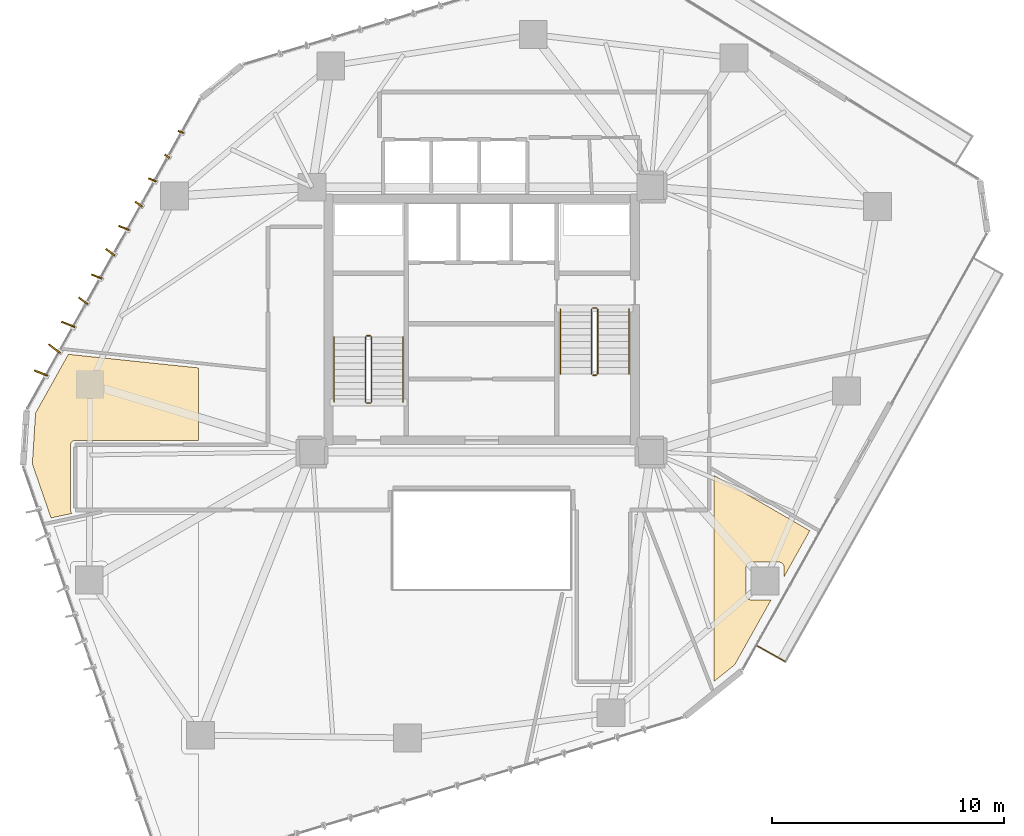
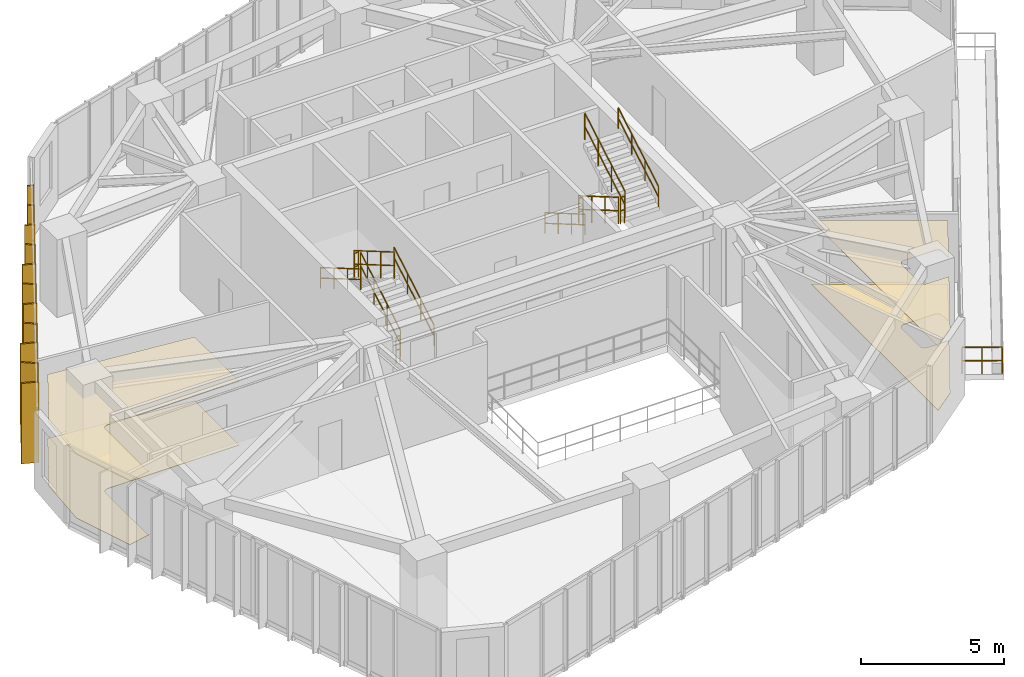
# One storey, part 20 of 21: 13 railings, 11 shading devices, 4 coverings.
"""IFC4 building model written with IfcOpenShell, lengths in metres."""

from ifc_helpers import new_model, si_unit, direction, frame, origin, origin_2d, place, context, subcontext, project, spatial, polyline, rectangle, circle, outline, extrude, source, transform, mapped, material, layer, layer_set, type_object, type_shapes, element, save


model = new_model("IFC4")

# Units and contexts
model_context = context("Model", 3, precision=1e-05, world=origin(), true_north=direction((0.0, 1.0)))
body_context = subcontext(model_context, "Body", "Model", "MODEL_VIEW")
ifc_project = project(units=[si_unit("LENGTHUNIT", "METRE"), si_unit("AREAUNIT", "SQUARE_METRE"), si_unit("VOLUMEUNIT", "CUBIC_METRE"), si_unit("PLANEANGLEUNIT", "RADIAN"), si_unit("MASSUNIT", "GRAM", prefix="KILO")], contexts=[model_context])

# Site, building, storey
site_placement = place(None, origin())
site = spatial("IfcSite", under=ifc_project, at=site_placement, CompositionType="ELEMENT")
building_placement = place(site_placement, origin())
building = spatial("IfcBuilding", under=site, at=building_placement, Name="Talar Marvaseh", CompositionType="ELEMENT")
storey_placement = place(building_placement, frame((0.0, 0.0, 139.800048828125)))
storey = spatial("IfcBuildingStorey", under=building, at=storey_placement, Name="L36", CompositionType="ELEMENT", Elevation=139.800048828125)

# Railings
ifc_material_1 = material(Name="Stainless Steel Grade 316", Category="steel")
railing_type_1 = type_object("IfcRailingType", Name="Brushed Stainless Wall Pitch Handrail 900", PredefinedType="HANDRAIL", material=ifc_material_1)
railing_1_placement = place(storey_placement, frame((22.610107421875, 27.64990234375, 0.16357421875)))
element("IfcRailing", 1, at=railing_1_placement, inside=storey, type_object=railing_type_1, Name="L36 ST-1 stair handrail 1", PredefinedType="HANDRAIL", context=body_context, shape_type="SweptSolid", body=[
    extrude(circle(Radius=0.02392578125, at=origin_2d()), frame((0.0, 0.0, 0.8759765625), z_axis=(0.0, 0.863360870873, 0.504586966384), x_axis=(-1.0, 0.0, 0.0)), (0.0, 0.0, 1.0), 3.2431640625),
    extrude(circle(Radius=0.02392578125, at=origin_2d()), frame((0.0, 0.0, 0.42578125), z_axis=(0.0, 0.863360870873, 0.504586966384), x_axis=(-1.0, 0.0, 0.0)), (0.0, 0.0, 1.0), 3.2431640625),
    extrude(circle(Radius=0.02099609375, at=origin_2d()), origin(), (0.0, 0.0, 1.0), 0.851806640625),
    extrude(circle(Radius=0.02099609375, at=origin_2d()), frame((0.0, 0.933349609375, 0.54541015625)), (0.0, 0.0, 1.0), 0.851806640625),
    extrude(circle(Radius=0.02099609375, at=origin_2d()), frame((0.0, 1.86669921875, 1.091064453125)), (0.0, 0.0, 1.0), 0.851806640625),
    extrude(circle(Radius=0.02099609375, at=origin_2d()), frame((0.0, 2.800048828125, 1.636474609375)), (0.0, 0.0, 1.0), 0.851806640625),
])
railing_2_placement = place(storey_placement, frame((19.64990234375, 30.449951171875, 1.963623046875)))
element("IfcRailing", 2, at=railing_2_placement, inside=storey, type_object=railing_type_1, Name="L36 ST-1 stair handrail 2", PredefinedType="HANDRAIL", context=body_context, shape_type="SweptSolid", body=[
    extrude(circle(Radius=0.02392578125, at=origin_2d()), frame((0.0, 0.0, 0.8759765625), z_axis=(0.0, -0.863393664356, 0.504530851732), x_axis=(1.0, 0.0, 0.0)), (0.0, 0.0, 1.0), 3.2431640625),
    extrude(circle(Radius=0.02392578125, at=origin_2d()), frame((0.0, 0.0, 0.42578125), z_axis=(0.0, -0.863393664356, 0.504530851732), x_axis=(1.0, 0.0, 0.0)), (0.0, 0.0, 1.0), 3.2431640625),
    extrude(circle(Radius=0.02099609375, at=origin_2d()), origin(), (0.0, 0.0, 1.0), 0.851806640625),
    extrude(circle(Radius=0.02099609375, at=origin_2d()), frame((0.0, -0.933349609375, 0.54541015625)), (0.0, 0.0, 1.0), 0.851806640625),
    extrude(circle(Radius=0.02099609375, at=origin_2d()), frame((0.0, -1.86669921875, 1.0908203125)), (0.0, 0.0, 1.0), 0.851806640625),
    extrude(circle(Radius=0.02099609375, at=origin_2d()), frame((0.0, -2.800048828125, 1.63623046875)), (0.0, 0.0, 1.0), 0.851806640625),
])
railing_3_placement = place(storey_placement, frame((29.389892578125, 31.64990234375, 0.16357421875)))
element("IfcRailing", 3, at=railing_3_placement, inside=storey, type_object=railing_type_1, Name="L36 ST-2 stair handrail 1", PredefinedType="HANDRAIL", context=body_context, shape_type="SweptSolid", body=[
    extrude(circle(Radius=0.02392578125, at=origin_2d()), frame((0.0, 0.0, 0.8759765625), z_axis=(0.0, -0.863341702679, 0.504619762213), x_axis=(1.0, 0.0, 0.0)), (0.0, 0.0, 1.0), 3.242919921875),
    extrude(circle(Radius=0.02392578125, at=origin_2d()), frame((0.0, 0.0, 0.42578125), z_axis=(0.0, -0.863341702679, 0.504619762213), x_axis=(1.0, 0.0, 0.0)), (0.0, 0.0, 1.0), 3.242919921875),
    extrude(circle(Radius=0.02099609375, at=origin_2d()), origin(), (0.0, 0.0, 1.0), 0.851806640625),
    extrude(circle(Radius=0.02099609375, at=origin_2d()), frame((0.0, -0.933349609375, 0.54541015625)), (0.0, 0.0, 1.0), 0.851806640625),
    extrude(circle(Radius=0.02099609375, at=origin_2d()), frame((0.0, -1.866455078125, 1.091064453125)), (0.0, 0.0, 1.0), 0.851806640625),
    extrude(circle(Radius=0.02099609375, at=origin_2d()), frame((0.0, -2.7998046875, 1.636474609375)), (0.0, 0.0, 1.0), 0.851806640625),
])
railing_4_placement = place(storey_placement, frame((32.35009765625, 28.85009765625, 1.963623046875)))
element("IfcRailing", 4, at=railing_4_placement, inside=storey, type_object=railing_type_1, Name="L36 ST-2 stair handrail 2", PredefinedType="HANDRAIL", context=body_context, shape_type="SweptSolid", body=[
    extrude(circle(Radius=0.02392578125, at=origin_2d()), frame((0.0, 0.0, 0.8759765625), z_axis=(0.0, 0.863374499697, 0.504563646405), x_axis=(-1.0, 0.0, 0.0)), (0.0, 0.0, 1.0), 3.242919921875),
    extrude(circle(Radius=0.02392578125, at=origin_2d()), frame((0.0, 0.0, 0.42578125), z_axis=(0.0, 0.863374499697, 0.504563646405), x_axis=(-1.0, 0.0, 0.0)), (0.0, 0.0, 1.0), 3.242919921875),
    extrude(circle(Radius=0.02099609375, at=origin_2d()), origin(), (0.0, 0.0, 1.0), 0.851806640625),
    extrude(circle(Radius=0.02099609375, at=origin_2d()), frame((0.0, 0.933349609375, 0.54541015625)), (0.0, 0.0, 1.0), 0.851806640625),
    extrude(circle(Radius=0.02099609375, at=origin_2d()), frame((0.0, 1.866455078125, 1.0908203125)), (0.0, 0.0, 1.0), 0.851806640625),
    extrude(circle(Radius=0.02099609375, at=origin_2d()), frame((0.0, 2.7998046875, 1.63623046875)), (0.0, 0.0, 1.0), 0.851806640625),
])
ifc_material_2 = material(Name="Tempered Clear Glass", Category="glass")
railing_type_2 = type_object("IfcRailingType", Name="External Laminated Glass Terrace Balustrade 1150", PredefinedType="BALUSTRADE", material=ifc_material_2)
railing_5_placement = place(storey_placement, frame((39.074951171875, 16.472412109375, 0.0)))
element("IfcRailing", 5, at=railing_5_placement, inside=storey, type_object=railing_type_2, Name="L36 External Terrace Balustrade 2 3", PredefinedType="BALUSTRADE", context=body_context, shape_type="SweptSolid", body=[
    extrude(circle(Radius=0.02392578125, at=origin_2d()), frame((0.0, 0.0, 1.1259765625), z_axis=(-0.872420384703, 0.48875625045, 0.0), x_axis=(-0.48875625045, -0.872420384703, 0.0)), (0.0, 0.0, 1.0), 1.41015625),
    extrude(circle(Radius=0.02392578125, at=origin_2d()), frame((0.0, 0.0, 0.55078125), z_axis=(-0.872420384703, 0.48875625045, 0.0), x_axis=(-0.48875625045, -0.872420384703, 0.0)), (0.0, 0.0, 1.0), 1.41015625),
    extrude(circle(Radius=0.02099609375, at=origin_2d()), origin(), (0.0, 0.0, 1.0), 1.101806640625),
    extrude(circle(Radius=0.02099609375, at=origin_2d()), frame((-0.615234375, 0.3447265625, 0.0)), (0.0, 0.0, 1.0), 1.101806640625),
    extrude(circle(Radius=0.02099609375, at=origin_2d()), frame((-1.230224609375, 0.689208984375, 0.0)), (0.0, 0.0, 1.0), 1.101806640625),
])
railing_type_3 = type_object("IfcRailingType", Name="Painted Steel Core Stair Well Guardrail 1150", PredefinedType="GUARDRAIL", material=ifc_material_1)
railing_6_placement = place(storey_placement, frame((21.260009765625, 27.64990234375, 0.16357421875)))
element("IfcRailing", 6, at=railing_6_placement, inside=storey, type_object=railing_type_3, Name="L36 ST-1 stair guard 1", PredefinedType="GUARDRAIL", context=body_context, shape_type="SweptSolid", body=[
    extrude(circle(Radius=0.02392578125, at=origin_2d()), frame((0.0, 0.0, 1.1259765625), z_axis=(0.0, 0.863360870873, 0.504586966384), x_axis=(-1.0, 0.0, 0.0)), (0.0, 0.0, 1.0), 3.2431640625),
    extrude(circle(Radius=0.02392578125, at=origin_2d()), frame((0.0, 0.0, 0.55078125), z_axis=(0.0, 0.863360870873, 0.504586966384), x_axis=(-1.0, 0.0, 0.0)), (0.0, 0.0, 1.0), 3.2431640625),
    extrude(circle(Radius=0.02099609375, at=origin_2d()), origin(), (0.0, 0.0, 1.0), 1.101806640625),
    extrude(circle(Radius=0.02099609375, at=origin_2d()), frame((0.0, 0.933349609375, 0.54541015625)), (0.0, 0.0, 1.0), 1.101806640625),
    extrude(circle(Radius=0.02099609375, at=origin_2d()), frame((0.0, 1.86669921875, 1.091064453125)), (0.0, 0.0, 1.0), 1.101806640625),
    extrude(circle(Radius=0.02099609375, at=origin_2d()), frame((0.0, 2.800048828125, 1.636474609375)), (0.0, 0.0, 1.0), 1.101806640625),
])
railing_7_placement = place(storey_placement, frame((21.2099609375, 30.5, 1.800048828125)))
element("IfcRailing", 7, at=railing_7_placement, inside=storey, type_object=railing_type_3, Name="L36 ST-1 stair guard 2", PredefinedType="GUARDRAIL", context=body_context, shape_type="SweptSolid", body=[
    extrude(circle(Radius=0.02392578125, at=origin_2d()), frame((0.0, 0.0, 1.1259765625), z_axis=(-1.0, 0.0, 0.0), x_axis=(0.0, -1.0, 0.0)), (0.0, 0.0, 1.0), 0.159912109375),
    extrude(circle(Radius=0.02392578125, at=origin_2d()), frame((0.0, 0.0, 0.55078125), z_axis=(-1.0, 0.0, 0.0), x_axis=(0.0, -1.0, 0.0)), (0.0, 0.0, 1.0), 0.159912109375),
    extrude(circle(Radius=0.02099609375, at=origin_2d()), origin(), (0.0, 0.0, 1.0), 1.101806640625),
    extrude(circle(Radius=0.02099609375, at=origin_2d()), frame((-0.159912109375, 0.0, 0.0)), (0.0, 0.0, 1.0), 1.101806640625),
])
railing_8_placement = place(storey_placement, frame((21.0, 30.449951171875, 1.963623046875)))
element("IfcRailing", 8, at=railing_8_placement, inside=storey, type_object=railing_type_3, Name="L36 ST-1 stair guard 3", PredefinedType="GUARDRAIL", context=body_context, shape_type="SweptSolid", body=[
    extrude(circle(Radius=0.02392578125, at=origin_2d()), frame((0.0, 0.0, 1.1259765625), z_axis=(0.0, -0.863393664356, 0.504530851732), x_axis=(1.0, 0.0, 0.0)), (0.0, 0.0, 1.0), 3.2431640625),
    extrude(circle(Radius=0.02392578125, at=origin_2d()), frame((0.0, 0.0, 0.55078125), z_axis=(0.0, -0.863393664356, 0.504530851732), x_axis=(1.0, 0.0, 0.0)), (0.0, 0.0, 1.0), 3.2431640625),
    extrude(circle(Radius=0.02099609375, at=origin_2d()), origin(), (0.0, 0.0, 1.0), 1.101806640625),
    extrude(circle(Radius=0.02099609375, at=origin_2d()), frame((0.0, -0.933349609375, 0.54541015625)), (0.0, 0.0, 1.0), 1.101806640625),
    extrude(circle(Radius=0.02099609375, at=origin_2d()), frame((0.0, -1.86669921875, 1.0908203125)), (0.0, 0.0, 1.0), 1.101806640625),
    extrude(circle(Radius=0.02099609375, at=origin_2d()), frame((0.0, -2.800048828125, 1.63623046875)), (0.0, 0.0, 1.0), 1.101806640625),
])
railing_9_placement = place(storey_placement, frame((21.2099609375, 27.60009765625, 0.0)))
element("IfcRailing", 9, at=railing_9_placement, inside=storey, type_object=railing_type_3, Name="L36 ST-1 stair guard 4", PredefinedType="GUARDRAIL", context=body_context, shape_type="SweptSolid", body=[
    extrude(circle(Radius=0.02392578125, at=origin_2d()), frame((0.0, 0.0, 1.1259765625), z_axis=(-1.0, 0.0, 0.0), x_axis=(0.0, -1.0, 0.0)), (0.0, 0.0, 1.0), 0.159912109375),
    extrude(circle(Radius=0.02392578125, at=origin_2d()), frame((0.0, 0.0, 0.55078125), z_axis=(-1.0, 0.0, 0.0), x_axis=(0.0, -1.0, 0.0)), (0.0, 0.0, 1.0), 0.159912109375),
    extrude(circle(Radius=0.02099609375, at=origin_2d()), origin(), (0.0, 0.0, 1.0), 1.101806640625),
    extrude(circle(Radius=0.02099609375, at=origin_2d()), frame((-0.159912109375, 0.0, 0.0)), (0.0, 0.0, 1.0), 1.101806640625),
])
railing_10_placement = place(storey_placement, frame((30.739990234375, 31.64990234375, 0.16357421875)))
element("IfcRailing", 10, at=railing_10_placement, inside=storey, type_object=railing_type_3, Name="L36 ST-2 stair guard 1", PredefinedType="GUARDRAIL", context=body_context, shape_type="SweptSolid", body=[
    extrude(circle(Radius=0.02392578125, at=origin_2d()), frame((0.0, 0.0, 1.1259765625), z_axis=(0.0, -0.863341702679, 0.504619762213), x_axis=(1.0, 0.0, 0.0)), (0.0, 0.0, 1.0), 3.242919921875),
    extrude(circle(Radius=0.02392578125, at=origin_2d()), frame((0.0, 0.0, 0.55078125), z_axis=(0.0, -0.863341702679, 0.504619762213), x_axis=(1.0, 0.0, 0.0)), (0.0, 0.0, 1.0), 3.242919921875),
    extrude(circle(Radius=0.02099609375, at=origin_2d()), origin(), (0.0, 0.0, 1.0), 1.101806640625),
    extrude(circle(Radius=0.02099609375, at=origin_2d()), frame((0.0, -0.933349609375, 0.54541015625)), (0.0, 0.0, 1.0), 1.101806640625),
    extrude(circle(Radius=0.02099609375, at=origin_2d()), frame((0.0, -1.866455078125, 1.091064453125)), (0.0, 0.0, 1.0), 1.101806640625),
    extrude(circle(Radius=0.02099609375, at=origin_2d()), frame((0.0, -2.7998046875, 1.636474609375)), (0.0, 0.0, 1.0), 1.101806640625),
])
railing_11_placement = place(storey_placement, frame((30.7900390625, 28.800048828125, 1.800048828125)))
element("IfcRailing", 11, at=railing_11_placement, inside=storey, type_object=railing_type_3, Name="L36 ST-2 stair guard 2", PredefinedType="GUARDRAIL", context=body_context, shape_type="SweptSolid", body=[
    extrude(circle(Radius=0.02392578125, at=origin_2d()), frame((0.0, 0.0, 1.1259765625), z_axis=(1.0, 0.0, 0.0), x_axis=(0.0, 1.0, 0.0)), (0.0, 0.0, 1.0), 0.159912109375),
    extrude(circle(Radius=0.02392578125, at=origin_2d()), frame((0.0, 0.0, 0.55078125), z_axis=(1.0, 0.0, 0.0), x_axis=(0.0, 1.0, 0.0)), (0.0, 0.0, 1.0), 0.159912109375),
    extrude(circle(Radius=0.02099609375, at=origin_2d()), origin(), (0.0, 0.0, 1.0), 1.101806640625),
    extrude(circle(Radius=0.02099609375, at=origin_2d()), frame((0.159912109375, 0.0, 0.0)), (0.0, 0.0, 1.0), 1.101806640625),
])
railing_12_placement = place(storey_placement, frame((31.0, 28.85009765625, 1.963623046875)))
element("IfcRailing", 12, at=railing_12_placement, inside=storey, type_object=railing_type_3, Name="L36 ST-2 stair guard 3", PredefinedType="GUARDRAIL", context=body_context, shape_type="SweptSolid", body=[
    extrude(circle(Radius=0.02392578125, at=origin_2d()), frame((0.0, 0.0, 1.1259765625), z_axis=(0.0, 0.863374499697, 0.504563646405), x_axis=(-1.0, 0.0, 0.0)), (0.0, 0.0, 1.0), 3.242919921875),
    extrude(circle(Radius=0.02392578125, at=origin_2d()), frame((0.0, 0.0, 0.55078125), z_axis=(0.0, 0.863374499697, 0.504563646405), x_axis=(-1.0, 0.0, 0.0)), (0.0, 0.0, 1.0), 3.242919921875),
    extrude(circle(Radius=0.02099609375, at=origin_2d()), origin(), (0.0, 0.0, 1.0), 1.101806640625),
    extrude(circle(Radius=0.02099609375, at=origin_2d()), frame((0.0, 0.933349609375, 0.54541015625)), (0.0, 0.0, 1.0), 1.101806640625),
    extrude(circle(Radius=0.02099609375, at=origin_2d()), frame((0.0, 1.866455078125, 1.0908203125)), (0.0, 0.0, 1.0), 1.101806640625),
    extrude(circle(Radius=0.02099609375, at=origin_2d()), frame((0.0, 2.7998046875, 1.63623046875)), (0.0, 0.0, 1.0), 1.101806640625),
])
railing_13_placement = place(storey_placement, frame((30.7900390625, 31.699951171875, 0.0)))
element("IfcRailing", 13, at=railing_13_placement, inside=storey, type_object=railing_type_3, Name="L36 ST-2 stair guard 4", PredefinedType="GUARDRAIL", context=body_context, shape_type="SweptSolid", body=[
    extrude(circle(Radius=0.02392578125, at=origin_2d()), frame((0.0, 0.0, 1.1259765625), z_axis=(1.0, 0.0, 0.0), x_axis=(0.0, 1.0, 0.0)), (0.0, 0.0, 1.0), 0.159912109375),
    extrude(circle(Radius=0.02392578125, at=origin_2d()), frame((0.0, 0.0, 0.55078125), z_axis=(1.0, 0.0, 0.0), x_axis=(0.0, 1.0, 0.0)), (0.0, 0.0, 1.0), 0.159912109375),
    extrude(circle(Radius=0.02099609375, at=origin_2d()), origin(), (0.0, 0.0, 1.0), 1.101806640625),
    extrude(circle(Radius=0.02099609375, at=origin_2d()), frame((0.159912109375, 0.0, 0.0)), (0.0, 0.0, 1.0), 1.101806640625),
])

# Coverings
ifc_material_3 = material(Name="Mineral Fibre Acoustic Ceiling")
ifc_layer_1 = layer(ifc_material_3, 0.02490234375)
ifc_layer_set_1 = layer_set([ifc_layer_1], Name="Mineral Fibre Acoustic Ceiling")
covering_type_1 = type_object("IfcCoveringType", Name="Perforated Mineral Fibre Acoustic Suspended Ceiling", PredefinedType="CEILING", material=ifc_layer_set_1)
covering_1_placement = place(storey_placement, frame((0.0, 0.0, 2.719970703125)))
element("IfcCovering", 14, at=covering_1_placement, inside=storey, type_object=covering_type_1, Name="L36 Curatorial Office Acoustic Ceiling", PredefinedType="CEILING", context=body_context, shape_type="SweptSolid", body=[
    extrude(outline(polyline([(13.800048828125, 29.117919921875), (13.800048828125, 26.0), (8.5, 26.0), (8.48046875, 25.9990234375), (8.4609375, 25.99609375), (8.44189453125, 25.991455078125), (8.423583984375, 25.98486328125), (8.40576171875, 25.976318359375), (8.388916015625, 25.96630859375), (8.373046875, 25.95458984375), (8.358642578125, 25.94140625), (8.345458984375, 25.927001953125), (8.333740234375, 25.9111328125), (8.323486328125, 25.894287109375), (8.315185546875, 25.87646484375), (8.30859375, 25.858154296875), (8.3037109375, 25.839111328125), (8.301025390625, 25.819580078125), (8.300048828125, 25.800048828125), (8.300048828125, 23.0), (8.301025390625, 22.98046875), (8.3037109375, 22.9609375), (8.30859375, 22.94189453125), (8.315185546875, 22.923583984375), (8.323486328125, 22.90576171875), (8.333740234375, 22.888916015625), (8.345458984375, 22.873046875), (8.358642578125, 22.858642578125), (8.36669921875, 22.85107421875), (7.456298828125, 22.65771484375), (6.6513671875, 24.982177734375), (6.790283203125, 27.173095703125), (8.202880859375, 29.702880859375), (13.800048828125, 29.117919921875)])), origin(), (0.0, 0.0, 1.0), 0.02490234375),
])
covering_2_placement = place(storey_placement, frame((0.0, 0.0, 2.719970703125)))
element("IfcCovering", 15, at=covering_2_placement, inside=storey, type_object=covering_type_1, Name="L36 Collection Conservation Store Acoustic Ceiling", PredefinedType="CEILING", context=body_context, shape_type="SweptSolid", body=[
    extrude(outline(polyline([(39.0126953125, 20.59130859375), (39.0078125, 20.610107421875), (39.001220703125, 20.628662109375), (38.99267578125, 20.646240234375), (38.982666015625, 20.6630859375), (38.970947265625, 20.6787109375), (38.957763671875, 20.693359375), (38.943115234375, 20.706298828125), (38.927490234375, 20.718017578125), (38.91064453125, 20.72802734375), (38.89306640625, 20.736328125), (38.87451171875, 20.742919921875), (38.85546875, 20.747802734375), (38.836181640625, 20.75048828125), (38.816650390625, 20.751708984375), (37.595458984375, 20.751708984375), (37.57568359375, 20.75048828125), (37.556396484375, 20.747802734375), (37.537353515625, 20.742919921875), (37.518798828125, 20.736328125), (37.501220703125, 20.72802734375), (37.484375, 20.718017578125), (37.468505859375, 20.706298828125), (37.4541015625, 20.693115234375), (37.44091796875, 20.678466796875), (37.42919921875, 20.66259765625), (37.4189453125, 20.64599609375), (37.41064453125, 20.628173828125), (37.404052734375, 20.609619140625), (37.399169921875, 20.590576171875), (37.396484375, 20.5712890625), (37.3955078125, 20.551513671875), (37.3955078125, 19.330322265625), (37.396484375, 19.310791015625), (37.399169921875, 19.29150390625), (37.404052734375, 19.2724609375), (37.41064453125, 19.25390625), (37.4189453125, 19.236328125), (37.428955078125, 19.219482421875), (37.440673828125, 19.203857421875), (37.45361328125, 19.189208984375), (37.46826171875, 19.176025390625), (37.48388671875, 19.164306640625), (37.500732421875, 19.154296875), (37.518310546875, 19.145751953125), (37.536865234375, 19.13916015625), (37.555908203125, 19.134521484375), (37.5751953125, 19.13134765625), (37.5947265625, 19.13037109375), (38.464599609375, 19.127197265625), (36.89990234375, 16.333984375), (36.01220703125, 15.62158203125), (36.0, 15.6533203125), (36.0, 23.0), (36.0, 24.494140625), (40.1328125, 22.10498046875), (39.018310546875, 20.115478515625), (39.0166015625, 20.55224609375), (39.015625, 20.572021484375), (39.0126953125, 20.59130859375)])), origin(), (0.0, 0.0, 1.0), 0.02490234375),
])
ifc_material_4 = material(Name="Porcelain Stoneware Tile", Category="masonry")
ifc_layer_2 = layer(ifc_material_4, 0.02001953125)
ifc_layer_set_2 = layer_set([ifc_layer_2], Name="Porcelain Stoneware Tile")
covering_type_2 = type_object("IfcCoveringType", Name="Polished Porcelain Stoneware Gallery Flooring", PredefinedType="FLOORING", material=ifc_layer_set_2)
covering_3_placement = place(storey_placement, origin())
element("IfcCovering", 16, at=covering_3_placement, inside=storey, type_object=covering_type_2, Name="L36 Curatorial Office Flooring", PredefinedType="FLOORING", context=body_context, shape_type="SweptSolid", body=[
    extrude(outline(polyline([(13.800048828125, 29.117919921875), (13.800048828125, 26.0), (8.5, 26.0), (8.48046875, 25.9990234375), (8.4609375, 25.99609375), (8.44189453125, 25.991455078125), (8.423583984375, 25.98486328125), (8.40576171875, 25.976318359375), (8.388916015625, 25.96630859375), (8.373046875, 25.95458984375), (8.358642578125, 25.94140625), (8.345458984375, 25.927001953125), (8.333740234375, 25.9111328125), (8.323486328125, 25.894287109375), (8.315185546875, 25.87646484375), (8.30859375, 25.858154296875), (8.3037109375, 25.839111328125), (8.301025390625, 25.819580078125), (8.300048828125, 25.800048828125), (8.300048828125, 23.0), (8.301025390625, 22.98046875), (8.3037109375, 22.9609375), (8.30859375, 22.94189453125), (8.315185546875, 22.923583984375), (8.323486328125, 22.90576171875), (8.333740234375, 22.888916015625), (8.345458984375, 22.873046875), (8.358642578125, 22.858642578125), (8.36669921875, 22.85107421875), (7.456298828125, 22.65771484375), (6.6513671875, 24.982177734375), (6.790283203125, 27.173095703125), (8.202880859375, 29.702880859375), (13.800048828125, 29.117919921875)])), origin(), (0.0, 0.0, 1.0), 0.02001953125),
])
covering_4_placement = place(storey_placement, origin())
element("IfcCovering", 17, at=covering_4_placement, inside=storey, type_object=covering_type_2, Name="L36 Collection Conservation Store Flooring", PredefinedType="FLOORING", context=body_context, shape_type="SweptSolid", body=[
    extrude(outline(polyline([(39.0126953125, 20.59130859375), (39.0078125, 20.610107421875), (39.001220703125, 20.628662109375), (38.99267578125, 20.646240234375), (38.982666015625, 20.6630859375), (38.970947265625, 20.6787109375), (38.957763671875, 20.693359375), (38.943115234375, 20.706298828125), (38.927490234375, 20.718017578125), (38.91064453125, 20.72802734375), (38.89306640625, 20.736328125), (38.87451171875, 20.742919921875), (38.85546875, 20.747802734375), (38.836181640625, 20.75048828125), (38.816650390625, 20.751708984375), (37.595458984375, 20.751708984375), (37.57568359375, 20.75048828125), (37.556396484375, 20.747802734375), (37.537353515625, 20.742919921875), (37.518798828125, 20.736328125), (37.501220703125, 20.72802734375), (37.484375, 20.718017578125), (37.468505859375, 20.706298828125), (37.4541015625, 20.693115234375), (37.44091796875, 20.678466796875), (37.42919921875, 20.66259765625), (37.4189453125, 20.64599609375), (37.41064453125, 20.628173828125), (37.404052734375, 20.609619140625), (37.399169921875, 20.590576171875), (37.396484375, 20.5712890625), (37.3955078125, 20.551513671875), (37.3955078125, 19.330322265625), (37.396484375, 19.310791015625), (37.399169921875, 19.29150390625), (37.404052734375, 19.2724609375), (37.41064453125, 19.25390625), (37.4189453125, 19.236328125), (37.428955078125, 19.219482421875), (37.440673828125, 19.203857421875), (37.45361328125, 19.189208984375), (37.46826171875, 19.176025390625), (37.48388671875, 19.164306640625), (37.500732421875, 19.154296875), (37.518310546875, 19.145751953125), (37.536865234375, 19.13916015625), (37.555908203125, 19.134521484375), (37.5751953125, 19.13134765625), (37.5947265625, 19.13037109375), (38.464599609375, 19.127197265625), (36.89990234375, 16.333984375), (36.01220703125, 15.62158203125), (36.0, 15.6533203125), (36.0, 23.0), (36.0, 24.494140625), (40.1328125, 22.10498046875), (39.018310546875, 20.115478515625), (39.0166015625, 20.55224609375), (39.015625, 20.572021484375), (39.0126953125, 20.59130859375)])), origin(), (0.0, 0.0, 1.0), 0.02001953125),
])

# Shading devices
ifc_material_5 = material(Name="Anodised Champagne Bronze Aluminium", Category="aluminium")
ifc_layer_3 = layer(ifc_material_5, 0.06494140625)
ifc_layer_set_3 = layer_set([ifc_layer_3], Name="Anodised Champagne Bronze Aluminium")
shading_device_type_1 = type_object("IfcShadingDeviceType", Name="Sawtooth Champagne Bronze Vertical Fin 240", PredefinedType="USERDEFINED", material=ifc_layer_set_3)
shared_shape_1 = source(origin(), body_context, "Body", "SweptSolid", [
    extrude(rectangle(XDim=0.239990234375, YDim=0.06494140625, at=origin_2d()), origin(), (0.0, 0.0, 1.0), 3.429931640625),
])
type_shapes(shading_device_type_1, [shared_shape_1])
for number, where, z_axis, x_axis, name in (
    (18, (12.45654296875, 38.23193359375, -0.1201171875), (0.0, 0.0, 1.0), (-0.796740914397, 0.604321036641, 0.0), "L36 Sawtooth Vertical Solar Fin"),
    (19, (13.04150390625, 39.27978515625, -0.1201171875), (0.0, 0.0, 1.0), (-0.932449975201, 0.361299105657, 0.0), "L36 Sawtooth Vertical Solar Fin"),
):
    element("IfcShadingDevice", number, at=place(storey_placement, frame(where, z_axis=z_axis, x_axis=x_axis)), inside=storey, type_object=shading_device_type_1, Name=name, ObjectType="FIN", PredefinedType="USERDEFINED", context=body_context, shape_type="MappedRepresentation", body=[
        mapped(shared_shape_1, transform((0.0, 0.0, 0.0), x_axis=(1.0, 0.0, 0.0), y_axis=(0.0, 1.0, 0.0), z_axis=(0.0, 0.0, 1.0), scale=1.0)),
    ])
ifc_layer_4 = layer(ifc_material_5, 0.06494140625)
ifc_layer_set_4 = layer_set([ifc_layer_4], Name="Anodised Champagne Bronze Aluminium")
shading_device_type_2 = type_object("IfcShadingDeviceType", Name="Sawtooth Champagne Bronze Vertical Fin 360", PredefinedType="USERDEFINED", material=ifc_layer_set_4)
shared_shape_2 = source(origin(), body_context, "Body", "SweptSolid", [
    extrude(rectangle(XDim=0.360107421875, YDim=0.06494140625, at=origin_2d()), origin(), (0.0, 0.0, 1.0), 3.429931640625),
])
type_shapes(shading_device_type_2, [shared_shape_2])
for number, where, z_axis, x_axis, name in (
    (20, (11.23388671875, 36.165771484375, -0.1201171875), (0.0, 0.0, 1.0), (-0.796740914397, 0.604321036641, 0.0), "L36 Sawtooth Vertical Solar Fin"),
    (21, (11.819091796875, 37.21337890625, -0.1201171875), (0.0, 0.0, 1.0), (-0.932449975201, 0.361299105657, 0.0), "L36 Sawtooth Vertical Solar Fin"),
):
    element("IfcShadingDevice", number, at=place(storey_placement, frame(where, z_axis=z_axis, x_axis=x_axis)), inside=storey, type_object=shading_device_type_2, Name=name, ObjectType="FIN", PredefinedType="USERDEFINED", context=body_context, shape_type="MappedRepresentation", body=[
        mapped(shared_shape_2, transform((0.0, 0.0, 0.0), x_axis=(1.0, 0.0, 0.0), y_axis=(0.0, 1.0, 0.0), z_axis=(0.0, 0.0, 1.0), scale=1.0)),
    ])
ifc_layer_5 = layer(ifc_material_5, 0.06494140625)
ifc_layer_set_5 = layer_set([ifc_layer_5], Name="Anodised Champagne Bronze Aluminium")
shading_device_type_3 = type_object("IfcShadingDeviceType", Name="Sawtooth Champagne Bronze Vertical Fin 480", PredefinedType="USERDEFINED", material=ifc_layer_set_5)
shared_shape_3 = source(origin(), body_context, "Body", "SweptSolid", [
    extrude(rectangle(XDim=0.47998046875, YDim=0.06494140625, at=origin_2d()), origin(), (0.0, 0.0, 1.0), 3.429931640625),
])
type_shapes(shading_device_type_3, [shared_shape_3])
for number, where, z_axis, x_axis, name in (
    (22, (8.84130859375, 32.00439453125, -0.1201171875), (0.0, 0.0, 1.0), (-0.796740914397, 0.604321036641, 0.0), "L36 Sawtooth Vertical Solar Fin"),
    (23, (9.42626953125, 33.052001953125, -0.1201171875), (0.0, 0.0, 1.0), (-0.932449975201, 0.361299105657, 0.0), "L36 Sawtooth Vertical Solar Fin"),
    (24, (10.011474609375, 34.099609375, -0.1201171875), (0.0, 0.0, 1.0), (-0.796740914397, 0.604321036641, 0.0), "L36 Sawtooth Vertical Solar Fin"),
    (25, (10.596435546875, 35.1474609375, -0.1201171875), (0.0, 0.0, 1.0), (-0.932449975201, 0.361299105657, 0.0), "L36 Sawtooth Vertical Solar Fin"),
):
    element("IfcShadingDevice", number, at=place(storey_placement, frame(where, z_axis=z_axis, x_axis=x_axis)), inside=storey, type_object=shading_device_type_3, Name=name, ObjectType="FIN", PredefinedType="USERDEFINED", context=body_context, shape_type="MappedRepresentation", body=[
        mapped(shared_shape_3, transform((0.0, 0.0, 0.0), x_axis=(1.0, 0.0, 0.0), y_axis=(0.0, 1.0, 0.0), z_axis=(0.0, 0.0, 1.0), scale=1.0)),
    ])
ifc_layer_6 = layer(ifc_material_5, 0.06494140625)
ifc_layer_set_6 = layer_set([ifc_layer_6], Name="Anodised Champagne Bronze Aluminium")
shading_device_type_4 = type_object("IfcShadingDeviceType", Name="Sawtooth Champagne Bronze Vertical Fin 620", PredefinedType="USERDEFINED", material=ifc_layer_set_6)
shared_shape_4 = source(origin(), body_context, "Body", "SweptSolid", [
    extrude(rectangle(XDim=0.6201171875, YDim=0.06494140625, at=origin_2d()), origin(), (0.0, 0.0, 1.0), 3.429931640625),
])
type_shapes(shading_device_type_4, [shared_shape_4])
for number, where, z_axis, x_axis, name in (
    (26, (7.024658203125, 28.8955078125, -0.1201171875), (0.0, 0.0, 1.0), (-0.932449975201, 0.361299105657, 0.0), "L36 Sawtooth Vertical Solar Fin"),
    (27, (7.60986328125, 29.943115234375, -0.1201171875), (0.0, 0.0, 1.0), (-0.796740914397, 0.604321036641, 0.0), "L36 Sawtooth Vertical Solar Fin"),
    (28, (8.19482421875, 30.99072265625, -0.1201171875), (0.0, 0.0, 1.0), (-0.932449975201, 0.361299105657, 0.0), "L36 Sawtooth Vertical Solar Fin"),
):
    element("IfcShadingDevice", number, at=place(storey_placement, frame(where, z_axis=z_axis, x_axis=x_axis)), inside=storey, type_object=shading_device_type_4, Name=name, ObjectType="FIN", PredefinedType="USERDEFINED", context=body_context, shape_type="MappedRepresentation", body=[
        mapped(shared_shape_4, transform((0.0, 0.0, 0.0), x_axis=(1.0, 0.0, 0.0), y_axis=(0.0, 1.0, 0.0), z_axis=(0.0, 0.0, 1.0), scale=1.0)),
    ])

save(model, "model.ifc")
